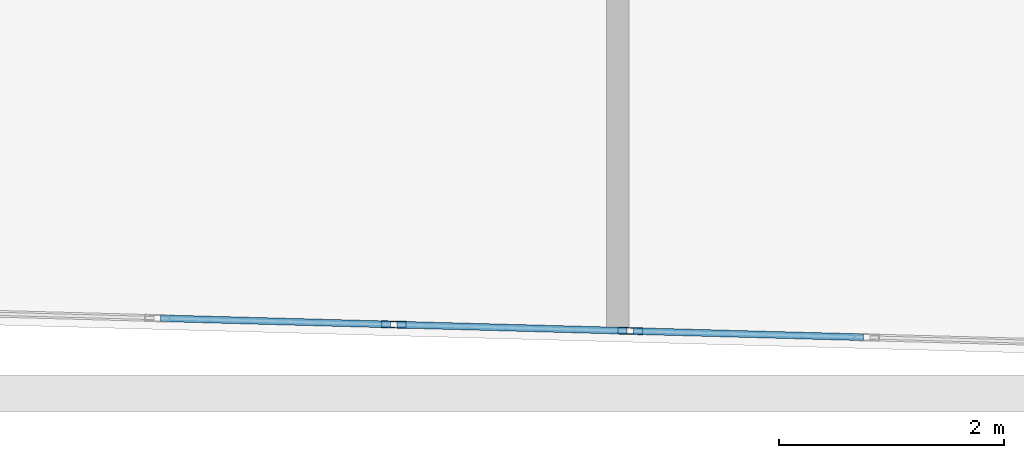
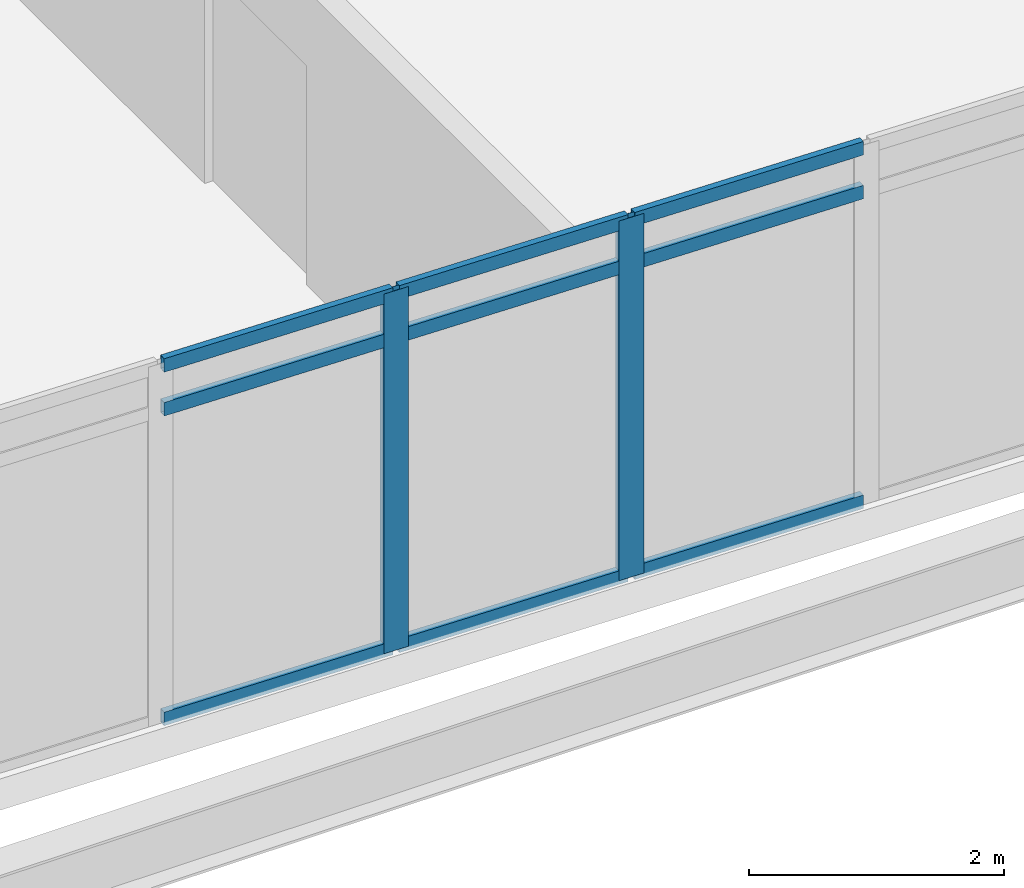
# One storey, part 5 of 38: 11 members, 1 element without a shape of its own.
"""IFC4 building model written with IfcOpenShell, lengths in metres."""

from ifc_helpers import new_model, si_unit, direction, frame, origin, origin_2d, place, context, subcontext, project, spatial, hollow_rectangle, extrude, material, material_profile, profile_set, type_object, element, aggregate, save


model = new_model("IFC4")

# Units and contexts
model_context = context("Model", 3, precision=1e-05, world=origin(), true_north=direction((0.0, 1.0)))
body_context = subcontext(model_context, "Body", "Model", "MODEL_VIEW")
ifc_project = project(units=[si_unit("LENGTHUNIT", "METRE"), si_unit("AREAUNIT", "SQUARE_METRE"), si_unit("VOLUMEUNIT", "CUBIC_METRE"), si_unit("PLANEANGLEUNIT", "RADIAN"), si_unit("MASSUNIT", "GRAM", prefix="KILO")], contexts=[model_context])

# Site, building, storey
site_placement = place(None, origin())
site = spatial("IfcSite", under=ifc_project, at=site_placement, CompositionType="ELEMENT")
building_placement = place(site_placement, origin())
building = spatial("IfcBuilding", under=site, at=building_placement, Name="Ostrander Bayou Hotel Tower", CompositionType="ELEMENT")
storey_placement = place(building_placement, frame((0.0, 0.0, 65.5)))
storey = spatial("IfcBuildingStorey", under=building, at=storey_placement, Name="L16", CompositionType="ELEMENT", Elevation=65.5)

# Curtain wall, members
ifc_material_1 = material(Name="Aluminium and clear glass", Category="aluminium")
curtain_wall_type = type_object("IfcCurtainWallType", Name="CW-BAR glazed wall", PredefinedType="NOTDEFINED", material=ifc_material_1)
curtain_wall_placement = place(storey_placement, origin())
curtain_wall = element("IfcCurtainWall", 1, at=curtain_wall_placement, inside=storey, type_object=curtain_wall_type, Name="CW-BAR L16:SB1S:T", PredefinedType="NOTDEFINED")
ifc_material_2 = material(Name="Aluminium", Category="aluminium")
ifc_material_profile_1 = material_profile(ifc_material_2, hollow_rectangle(XDim=0.06005859375, YDim=0.219970703125, WallThickness=0.00390625, at=origin_2d()))
ifc_profile_set_1 = profile_set([ifc_material_profile_1], Name="Aluminium")
member_type_1 = type_object("IfcMemberType", Name="CW-BR mullion 60 x 220 mm", PredefinedType="MULLION", material=ifc_profile_set_1)
member_1_placement = place(storey_placement, frame((-4.203369140625, -32.336181640625, 0.0), z_axis=(0.0, 0.0, 1.0), x_axis=(0.027042484848, 0.999634285133, 0.0)))
member_1 = element("IfcMember", 2, at=member_1_placement, type_object=member_type_1, Name="CW-BAR mullion 6", PredefinedType="MULLION", context=body_context, shape_type="SweptSolid", body=[
    extrude(hollow_rectangle(XDim=0.06005859375, YDim=0.219970703125, WallThickness=0.00390625, at=origin_2d()), origin(), (0.0, 0.0, 1.0), 3.449951171875),
])
member_2_placement = place(storey_placement, frame((-2.101806640625, -32.39306640625, 0.0), z_axis=(0.0, 0.0, 1.0), x_axis=(0.027042484848, 0.999634285133, 0.0)))
member_2 = element("IfcMember", 3, at=member_2_placement, type_object=member_type_1, Name="CW-BAR mullion 7", PredefinedType="MULLION", context=body_context, shape_type="SweptSolid", body=[
    extrude(hollow_rectangle(XDim=0.06005859375, YDim=0.219970703125, WallThickness=0.00390625, at=origin_2d()), origin(), (0.0, 0.0, 1.0), 3.449951171875),
])
ifc_material_3 = material(Name="Aluminium", Category="aluminium")
ifc_material_profile_2 = material_profile(ifc_material_3, hollow_rectangle(XDim=0.06005859375, YDim=0.1298828125, WallThickness=0.00390625, at=origin_2d()))
ifc_profile_set_2 = profile_set([ifc_material_profile_2], Name="Aluminium")
member_type_2 = type_object("IfcMemberType", Name="CW-BR transom 60 x 130 mm", PredefinedType="USERDEFINED", material=ifc_profile_set_2)
member_3_placement = place(storey_placement, frame((-6.275146484375, -32.2802734375, 0.030029296875), z_axis=(0.999635057116, -0.027013933147, 0.0), x_axis=(0.027013933147, 0.999635057116, 0.0)))
member_3 = element("IfcMember", 4, at=member_3_placement, type_object=member_type_2, Name="CW-BAR transom 5.1", ObjectType="TRANSOM", PredefinedType="USERDEFINED", context=body_context, shape_type="SweptSolid", body=[
    extrude(hollow_rectangle(XDim=0.06005859375, YDim=0.1298828125, WallThickness=0.00390625, at=origin_2d()), origin(), (0.0, 0.0, 1.0), 2.04248046875),
])
member_4_placement = place(storey_placement, frame((-6.275146484375, -32.2802734375, 3.0), z_axis=(0.999635057116, -0.027013933147, 0.0), x_axis=(0.027013933147, 0.999635057116, 0.0)))
member_4 = element("IfcMember", 5, at=member_4_placement, type_object=member_type_2, Name="CW-BAR transom 5.2", ObjectType="TRANSOM", PredefinedType="USERDEFINED", context=body_context, shape_type="SweptSolid", body=[
    extrude(hollow_rectangle(XDim=0.06005859375, YDim=0.1298828125, WallThickness=0.00390625, at=origin_2d()), origin(), (0.0, 0.0, 1.0), 2.04248046875),
])
member_5_placement = place(storey_placement, frame((-6.275146484375, -32.2802734375, 3.419921875), z_axis=(0.999635057116, -0.027013933147, 0.0), x_axis=(0.027013933147, 0.999635057116, 0.0)))
member_5 = element("IfcMember", 6, at=member_5_placement, type_object=member_type_2, Name="CW-BAR transom 5.3", ObjectType="TRANSOM", PredefinedType="USERDEFINED", context=body_context, shape_type="SweptSolid", body=[
    extrude(hollow_rectangle(XDim=0.06005859375, YDim=0.1298828125, WallThickness=0.00390625, at=origin_2d()), origin(), (0.0, 0.0, 1.0), 2.04248046875),
])
member_6_placement = place(storey_placement, frame((-4.173583984375, -32.337158203125, 0.030029296875), z_axis=(0.999635057116, -0.027013933147, 0.0), x_axis=(0.027013933147, 0.999635057116, 0.0)))
member_6 = element("IfcMember", 7, at=member_6_placement, type_object=member_type_2, Name="CW-BAR transom 6.1", ObjectType="TRANSOM", PredefinedType="USERDEFINED", context=body_context, shape_type="SweptSolid", body=[
    extrude(hollow_rectangle(XDim=0.06005859375, YDim=0.1298828125, WallThickness=0.00390625, at=origin_2d()), origin(), (0.0, 0.0, 1.0), 2.04248046875),
])
member_7_placement = place(storey_placement, frame((-4.173583984375, -32.337158203125, 3.0), z_axis=(0.999635057116, -0.027013933147, 0.0), x_axis=(0.027013933147, 0.999635057116, 0.0)))
member_7 = element("IfcMember", 8, at=member_7_placement, type_object=member_type_2, Name="CW-BAR transom 6.2", ObjectType="TRANSOM", PredefinedType="USERDEFINED", context=body_context, shape_type="SweptSolid", body=[
    extrude(hollow_rectangle(XDim=0.06005859375, YDim=0.1298828125, WallThickness=0.00390625, at=origin_2d()), origin(), (0.0, 0.0, 1.0), 2.04248046875),
])
member_8_placement = place(storey_placement, frame((-4.173583984375, -32.337158203125, 3.419921875), z_axis=(0.999635057116, -0.027013933147, 0.0), x_axis=(0.027013933147, 0.999635057116, 0.0)))
member_8 = element("IfcMember", 9, at=member_8_placement, type_object=member_type_2, Name="CW-BAR transom 6.3", ObjectType="TRANSOM", PredefinedType="USERDEFINED", context=body_context, shape_type="SweptSolid", body=[
    extrude(hollow_rectangle(XDim=0.06005859375, YDim=0.1298828125, WallThickness=0.00390625, at=origin_2d()), origin(), (0.0, 0.0, 1.0), 2.04248046875),
])
member_9_placement = place(storey_placement, frame((-2.07177734375, -32.39404296875, 0.030029296875), z_axis=(0.999635057116, -0.027013933147, 0.0), x_axis=(0.027013933147, 0.999635057116, 0.0)))
member_9 = element("IfcMember", 10, at=member_9_placement, type_object=member_type_2, Name="CW-BAR transom 7.1", ObjectType="TRANSOM", PredefinedType="USERDEFINED", context=body_context, shape_type="SweptSolid", body=[
    extrude(hollow_rectangle(XDim=0.06005859375, YDim=0.1298828125, WallThickness=0.00390625, at=origin_2d()), origin(), (0.0, 0.0, 1.0), 2.04248046875),
])
member_10_placement = place(storey_placement, frame((-2.07177734375, -32.39404296875, 3.0), z_axis=(0.999635057116, -0.027013933147, 0.0), x_axis=(0.027013933147, 0.999635057116, 0.0)))
member_10 = element("IfcMember", 11, at=member_10_placement, type_object=member_type_2, Name="CW-BAR transom 7.2", ObjectType="TRANSOM", PredefinedType="USERDEFINED", context=body_context, shape_type="SweptSolid", body=[
    extrude(hollow_rectangle(XDim=0.06005859375, YDim=0.1298828125, WallThickness=0.00390625, at=origin_2d()), origin(), (0.0, 0.0, 1.0), 2.04248046875),
])
member_11_placement = place(storey_placement, frame((-2.07177734375, -32.39404296875, 3.419921875), z_axis=(0.999635057116, -0.027013933147, 0.0), x_axis=(0.027013933147, 0.999635057116, 0.0)))
member_11 = element("IfcMember", 12, at=member_11_placement, type_object=member_type_2, Name="CW-BAR transom 7.3", ObjectType="TRANSOM", PredefinedType="USERDEFINED", context=body_context, shape_type="SweptSolid", body=[
    extrude(hollow_rectangle(XDim=0.06005859375, YDim=0.1298828125, WallThickness=0.00390625, at=origin_2d()), origin(), (0.0, 0.0, 1.0), 2.04248046875),
])
aggregate(curtain_wall, [member_1, member_2, member_3, member_4, member_5, member_6, member_7, member_8, member_9, member_10, member_11])

save(model, "model.ifc")
